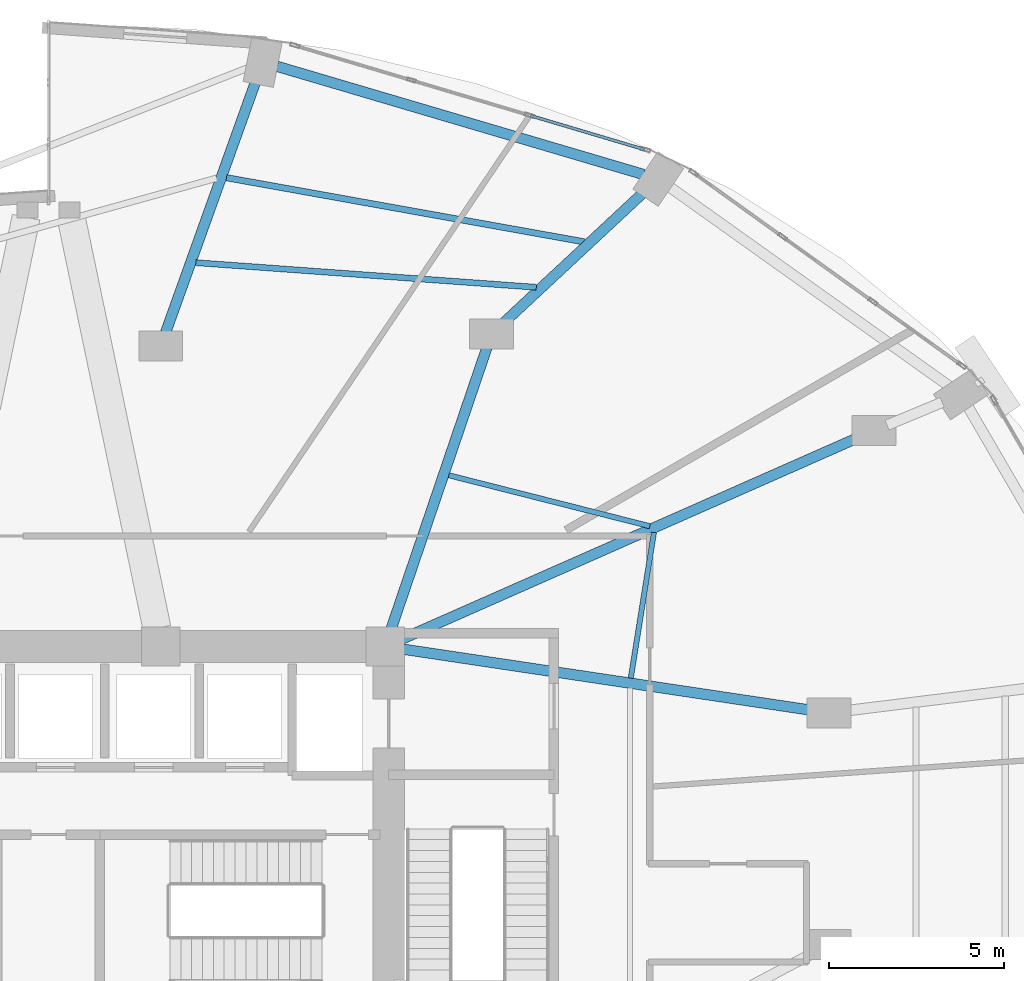
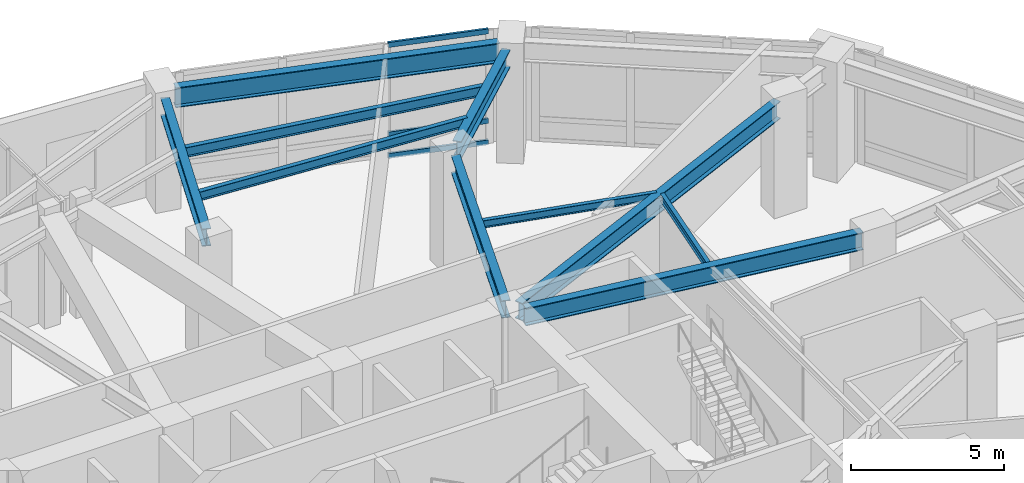
# One storey, part 16 of 24: 10 beams, 3 members, 1 element without a shape of its own.
"""IFC4 building model written with IfcOpenShell, lengths in metres."""

from ifc_helpers import new_model, si_unit, direction, frame, origin, origin_2d, place, context, subcontext, project, spatial, hollow_rectangle, i_section, extrude, material, layer, layer_set, material_profile, profile_set, type_object, element, aggregate, save


model = new_model("IFC4")

# Units and contexts
model_context = context("Model", 3, precision=1e-05, world=origin(), true_north=direction((0.0, 1.0)))
body_context = subcontext(model_context, "Body", "Model", "MODEL_VIEW")
ifc_project = project(units=[si_unit("LENGTHUNIT", "METRE"), si_unit("AREAUNIT", "SQUARE_METRE"), si_unit("VOLUMEUNIT", "CUBIC_METRE"), si_unit("PLANEANGLEUNIT", "RADIAN"), si_unit("MASSUNIT", "GRAM", prefix="KILO")], contexts=[model_context])

# Site, building, storey
site_placement = place(None, origin())
site = spatial("IfcSite", under=ifc_project, at=site_placement, CompositionType="ELEMENT")
building_placement = place(site_placement, origin())
building = spatial("IfcBuilding", under=site, at=building_placement, Name="Lazwardi Medical Tower", CompositionType="ELEMENT")
storey_placement = place(building_placement, frame((0.0, 0.0, 15.60009765625)))
storey = spatial("IfcBuildingStorey", under=building, at=storey_placement, Name="L03", CompositionType="ELEMENT", Elevation=15.60009765625)

# Beams
ifc_material_1 = material(Name="Steel S355", Category="steel")
ifc_material_profile_1 = material_profile(ifc_material_1, i_section(OverallWidth=0.300048828125, OverallDepth=0.800048828125, WebThickness=0.017578125, FlangeThickness=0.032958984375, at=origin_2d()), Name="HEB 800")
ifc_profile_set_1 = profile_set([ifc_material_profile_1], Name="Steel S355")
beam_type_1 = type_object("IfcBeamType", Name="BM-RB-P1", PredefinedType="BEAM", material=ifc_profile_set_1)
beam_1_placement = place(storey_placement, frame((52.976806640625, 49.0634765625, 4.119873046875), z_axis=(-0.959103395471, 0.283055960537, 0.0), x_axis=(-0.283055960537, -0.959103395471, 0.0)))
element("IfcBeam", 1, at=beam_1_placement, inside=storey, type_object=beam_type_1, Name="Ring beam RB-01 B07 L03", PredefinedType="BEAM", context=body_context, shape_type="SweptSolid", body=[
    extrude(i_section(OverallWidth=0.300048828125, OverallDepth=0.800048828125, WebThickness=0.017578125, FlangeThickness=0.032958984375, at=origin_2d()), origin(), (0.0, 0.0, 1.0), 10.904052734375),
])
ifc_material_profile_2 = material_profile(ifc_material_1, i_section(OverallWidth=0.300048828125, OverallDepth=0.699951171875, WebThickness=0.01708984375, FlangeThickness=0.031982421875, at=origin_2d()), Name="HEB 700")
ifc_profile_set_2 = profile_set([ifc_material_profile_2], Name="Steel S355")
beam_type_2 = type_object("IfcBeamType", Name="BM-RG-P1", PredefinedType="BEAM", material=ifc_profile_set_2)
beam_2_placement = place(storey_placement, frame((57.867431640625, 33.76513671875, 4.169921875), z_axis=(-0.988996622553, 0.147938097117, 0.0), x_axis=(-0.147938097117, -0.988996622553, 0.0)))
element("IfcBeam", 2, at=beam_2_placement, inside=storey, type_object=beam_type_2, Name="Radial girder RG-01 R05B L03", PredefinedType="BEAM", context=body_context, shape_type="SweptSolid", body=[
    extrude(i_section(OverallWidth=0.300048828125, OverallDepth=0.699951171875, WebThickness=0.01708984375, FlangeThickness=0.031982421875, at=origin_2d()), origin(), (0.0, 0.0, 1.0), 11.868896484375),
])
beam_3_placement = place(storey_placement, frame((59.18408203125, 41.598388671875, 4.169921875), z_axis=(-0.914785112543, -0.403940834616, 0.0), x_axis=(0.403940834616, -0.914785112543, 0.0)))
element("IfcBeam", 3, at=beam_3_placement, inside=storey, type_object=beam_type_2, Name="Radial girder RG-01 R06B L03", PredefinedType="BEAM", context=body_context, shape_type="SweptSolid", body=[
    extrude(i_section(OverallWidth=0.300048828125, OverallDepth=0.699951171875, WebThickness=0.01708984375, FlangeThickness=0.031982421875, at=origin_2d()), origin(), (0.0, 0.0, 1.0), 14.314453125),
])
beam_4_placement = place(storey_placement, frame((52.965087890625, 48.54638671875, 4.169921875), z_axis=(-0.731566851874, -0.681769712761, 0.0), x_axis=(0.681769712761, -0.731566851874, 0.0)))
element("IfcBeam", 4, at=beam_4_placement, inside=storey, type_object=beam_type_2, Name="Radial girder RG-01 R07A L03", PredefinedType="BEAM", context=body_context, shape_type="SweptSolid", body=[
    extrude(i_section(OverallWidth=0.300048828125, OverallDepth=0.699951171875, WebThickness=0.01708984375, FlangeThickness=0.031982421875, at=origin_2d()), origin(), (0.0, 0.0, 1.0), 5.5205078125),
])
beam_5_placement = place(storey_placement, frame((48.505126953125, 44.13134765625, 4.169921875), z_axis=(-0.322346711858, -0.946621675937, 0.0), x_axis=(0.946621675937, -0.322346711858, 0.0)))
element("IfcBeam", 5, at=beam_5_placement, inside=storey, type_object=beam_type_2, Name="Radial girder RG-01 R07B L03", PredefinedType="BEAM", context=body_context, shape_type="SweptSolid", body=[
    extrude(i_section(OverallWidth=0.300048828125, OverallDepth=0.699951171875, WebThickness=0.01708984375, FlangeThickness=0.031982421875, at=origin_2d()), origin(), (0.0, 0.0, 1.0), 8.477294921875),
])
beam_6_placement = place(storey_placement, frame((41.910400390625, 51.7255859375, 4.169921875), z_axis=(-0.337851658054, -0.941199371627, 0.0), x_axis=(0.941199371627, -0.337851658054, 0.0)))
element("IfcBeam", 6, at=beam_6_placement, inside=storey, type_object=beam_type_2, Name="Radial girder RG-01 R08A L03", PredefinedType="BEAM", context=body_context, shape_type="SweptSolid", body=[
    extrude(i_section(OverallWidth=0.300048828125, OverallDepth=0.699951171875, WebThickness=0.01708984375, FlangeThickness=0.031982421875, at=origin_2d()), origin(), (0.0, 0.0, 1.0), 7.622314453125),
])
ifc_material_profile_3 = material_profile(ifc_material_1, i_section(OverallWidth=0.179931640625, OverallDepth=0.39990234375, WebThickness=0.008544921875, FlangeThickness=0.013427734375, at=origin_2d()), Name="IPE 400")
ifc_profile_set_3 = profile_set([ifc_material_profile_3], Name="Steel S355")
beam_type_3 = type_object("IfcBeamType", Name="BM-SJ-01", PredefinedType="JOIST", material=ifc_profile_set_3)
beam_7_placement = place(storey_placement, frame((51.28759765625, 47.141845703125, 4.31982421875), z_axis=(-0.984289560311, 0.176561778036, 0.0), x_axis=(-0.176561778036, -0.984289560311, 0.0)))
element("IfcBeam", 7, at=beam_7_placement, inside=storey, type_object=beam_type_3, Name="Secondary joist SJ-01 RO1 B07 L03", PredefinedType="JOIST", context=body_context, shape_type="SweptSolid", body=[
    extrude(i_section(OverallWidth=0.179931640625, OverallDepth=0.39990234375, WebThickness=0.008544921875, FlangeThickness=0.013427734375, at=origin_2d()), origin(), (0.0, 0.0, 1.0), 10.376220703125),
])
ifc_material_profile_4 = material_profile(ifc_material_1, i_section(OverallWidth=0.169921875, OverallDepth=0.360107421875, WebThickness=0.008056640625, FlangeThickness=0.0126953125, at=origin_2d()), Name="IPE 360")
ifc_profile_set_4 = profile_set([ifc_material_profile_4], Name="Steel S355")
beam_type_4 = type_object("IfcBeamType", Name="BM-SJ-02", PredefinedType="JOIST", material=ifc_profile_set_4)
beam_8_placement = place(storey_placement, frame((49.91259765625, 45.846923828125, 4.33984375), z_axis=(-0.997391314172, 0.07218425323, 0.0), x_axis=(-0.07218425323, -0.997391314172, 0.0)))
element("IfcBeam", 8, at=beam_8_placement, inside=storey, type_object=beam_type_4, Name="Secondary joist SJ-02 RO2 B07 L03", PredefinedType="JOIST", context=body_context, shape_type="SweptSolid", body=[
    extrude(i_section(OverallWidth=0.169921875, OverallDepth=0.360107421875, WebThickness=0.008056640625, FlangeThickness=0.0126953125, at=origin_2d()), origin(), (0.0, 0.0, 1.0), 9.7373046875),
])
ifc_material_profile_5 = material_profile(ifc_material_1, i_section(OverallWidth=0.14990234375, OverallDepth=0.300048828125, WebThickness=0.007080078125, FlangeThickness=0.0107421875, at=origin_2d()), Name="IPE 300")
ifc_profile_set_5 = profile_set([ifc_material_profile_5], Name="Steel S355")
beam_type_5 = type_object("IfcBeamType", Name="BM-SJ-03", PredefinedType="JOIST", material=ifc_profile_set_5)
beam_9_placement = place(storey_placement, frame((52.60791015625, 34.698486328125, 4.369873046875), z_axis=(0.15709189447, 0.98758398969, 0.0), x_axis=(-0.98758398969, 0.15709189447, 0.0)))
element("IfcBeam", 9, at=beam_9_placement, inside=storey, type_object=beam_type_5, Name="Secondary joist SJ-03 RI1 B05 L03", PredefinedType="JOIST", context=body_context, shape_type="SweptSolid", body=[
    extrude(i_section(OverallWidth=0.14990234375, OverallDepth=0.300048828125, WebThickness=0.007080078125, FlangeThickness=0.0107421875, at=origin_2d()), origin(), (0.0, 0.0, 1.0), 4.20703125),
])
beam_10_placement = place(storey_placement, frame((53.15087890625, 39.031982421875, 4.369873046875), z_axis=(-0.969385296143, 0.245544593957, 0.0), x_axis=(-0.245544593957, -0.969385296143, 0.0)))
element("IfcBeam", 10, at=beam_10_placement, inside=storey, type_object=beam_type_5, Name="Secondary joist SJ-03 RI1 B06 L03", PredefinedType="JOIST", context=body_context, shape_type="SweptSolid", body=[
    extrude(i_section(OverallWidth=0.14990234375, OverallDepth=0.300048828125, WebThickness=0.007080078125, FlangeThickness=0.0107421875, at=origin_2d()), origin(), (0.0, 0.0, 1.0), 5.916015625),
])

# Curtain wall, members
ifc_material_2 = material(Name="Anodised bronze aluminium and solar control glazing", Category="aluminium")
ifc_layer = layer(ifc_material_2, 0.219970703125)
ifc_layer_set = layer_set([ifc_layer], Name="Anodised bronze aluminium and solar control glazing")
curtain_wall_type = type_object("IfcCurtainWallType", Name="CW-SYS-01", PredefinedType="NOTDEFINED", material=ifc_layer_set)
curtain_wall_placement = place(storey_placement, origin())
curtain_wall = element("IfcCurtainWall", 11, at=curtain_wall_placement, inside=storey, type_object=curtain_wall_type, Name="L03 Unitised bronze curtain wall CW-01", PredefinedType="NOTDEFINED")
ifc_material_3 = material(Name="Anodised bronze aluminium", Category="aluminium")
ifc_material_profile_6 = material_profile(ifc_material_3, hollow_rectangle(XDim=0.0849609375, YDim=0.199951171875, WallThickness=0.00439453125, at=origin_2d()), Name="ALU-TRANSOM 200x85x4.5")
ifc_profile_set_6 = profile_set([ifc_material_profile_6], Name="Anodised bronze aluminium")
member_type = type_object("IfcMemberType", Name="CW-TRN-02", PredefinedType="USERDEFINED", material=ifc_profile_set_6)
member_1_placement = place(storey_placement, frame((52.9931640625, 49.778564453125, 0.04248046875), z_axis=(-0.958525157923, 0.285007932572, 0.0), x_axis=(-0.285007932572, -0.958525157923, 0.0)))
member_1 = element("IfcMember", 12, at=member_1_placement, type_object=member_type, Name="CW-01 transom 1.1", ObjectType="TRANSOM", PredefinedType="USERDEFINED", context=body_context, shape_type="SweptSolid", body=[
    extrude(hollow_rectangle(XDim=0.0849609375, YDim=0.199951171875, WallThickness=0.00439453125, at=origin_2d()), origin(), (0.0, 0.0, 1.0), 3.380126953125),
])
member_2_placement = place(storey_placement, frame((52.9931640625, 49.778564453125, 0.89990234375), z_axis=(-0.958525157923, 0.285007932572, 0.0), x_axis=(-0.285007932572, -0.958525157923, 0.0)))
member_2 = element("IfcMember", 13, at=member_2_placement, type_object=member_type, Name="CW-01 transom 1.2", ObjectType="TRANSOM", PredefinedType="USERDEFINED", context=body_context, shape_type="SweptSolid", body=[
    extrude(hollow_rectangle(XDim=0.0849609375, YDim=0.199951171875, WallThickness=0.00439453125, at=origin_2d()), origin(), (0.0, 0.0, 1.0), 3.380126953125),
])
member_3_placement = place(storey_placement, frame((52.9931640625, 49.778564453125, 4.477294921875), z_axis=(-0.958525157923, 0.285007932572, 0.0), x_axis=(-0.285007932572, -0.958525157923, 0.0)))
member_3 = element("IfcMember", 14, at=member_3_placement, type_object=member_type, Name="CW-01 transom 1.3", ObjectType="TRANSOM", PredefinedType="USERDEFINED", context=body_context, shape_type="SweptSolid", body=[
    extrude(hollow_rectangle(XDim=0.0849609375, YDim=0.199951171875, WallThickness=0.00439453125, at=origin_2d()), origin(), (0.0, 0.0, 1.0), 3.380126953125),
])
aggregate(curtain_wall, [member_1, member_2, member_3])

save(model, "model.ifc")
